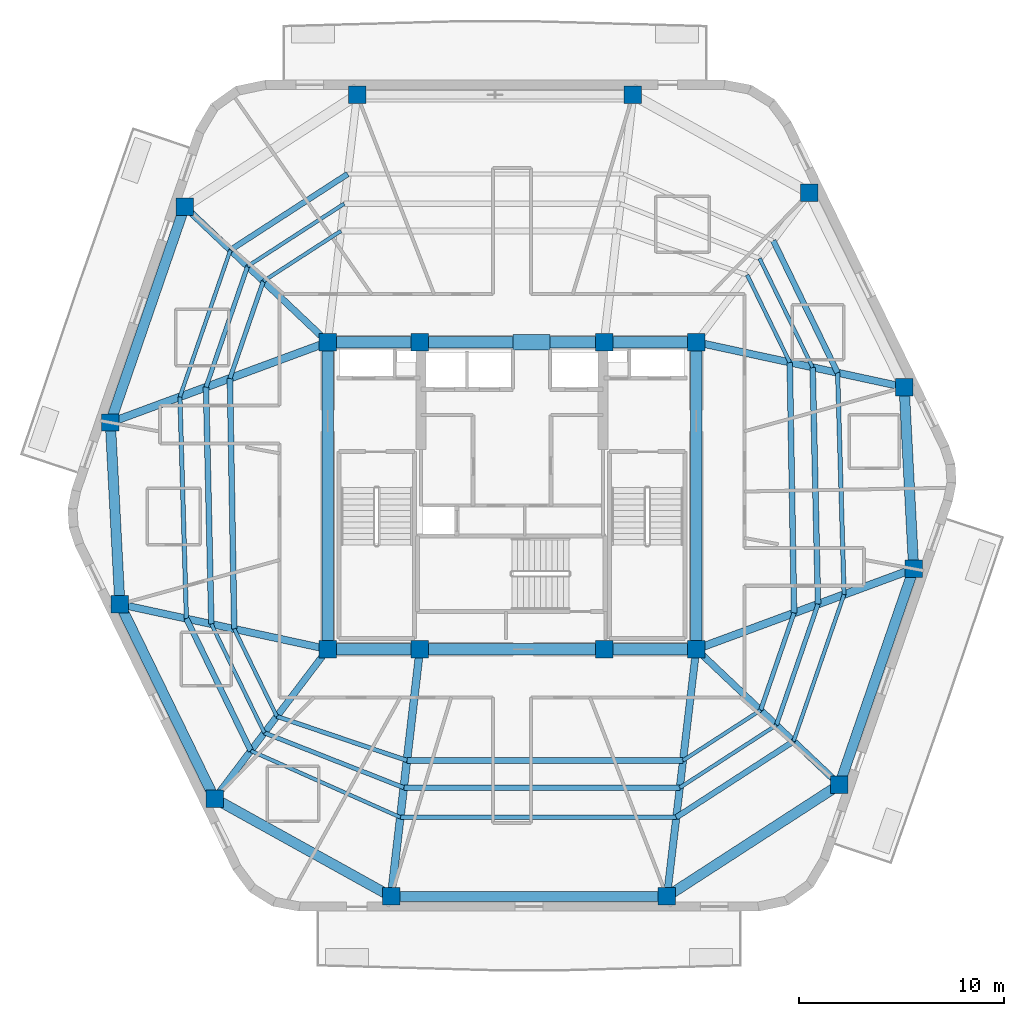
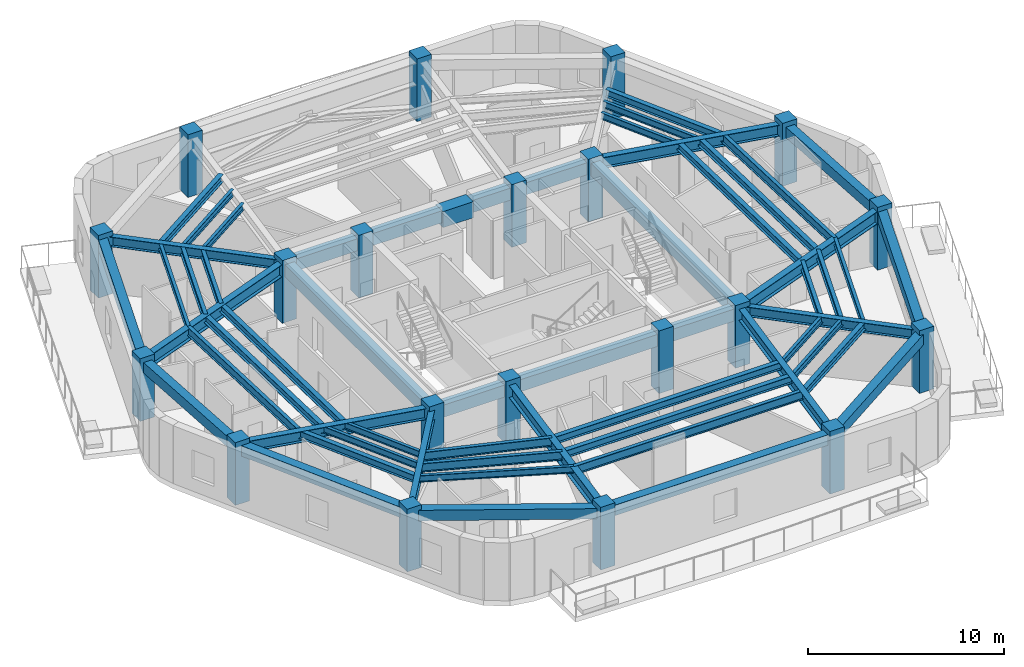
# One storey, part 1 of 9: 56 beams, 20 columns.
"""IFC4 building model written with IfcOpenShell, lengths in metres."""

from ifc_helpers import new_model, si_unit, direction, frame, origin, origin_2d, place, context, subcontext, project, spatial, rectangle, i_section, extrude, material, material_profile, profile_set, type_object, element, save


model = new_model("IFC4")

# Units and contexts
model_context = context("Model", 3, precision=1e-05, world=origin(), true_north=direction((0.0, 1.0)))
body_context = subcontext(model_context, "Body", "Model", "MODEL_VIEW")
ifc_project = project(units=[si_unit("LENGTHUNIT", "METRE"), si_unit("AREAUNIT", "SQUARE_METRE"), si_unit("VOLUMEUNIT", "CUBIC_METRE"), si_unit("PLANEANGLEUNIT", "RADIAN"), si_unit("MASSUNIT", "GRAM", prefix="KILO")], contexts=[model_context])

# Site, building, storey
site_placement = place(None, origin())
site = spatial("IfcSite", under=ifc_project, at=site_placement, CompositionType="ELEMENT")
building_placement = place(site_placement, origin())
building = spatial("IfcBuilding", under=site, at=building_placement, Name="Kilnhurst Terrace Hotel", CompositionType="ELEMENT")
storey_placement = place(building_placement, frame((0.0, 0.0, 297.60009765625)))
storey = spatial("IfcBuildingStorey", under=building, at=storey_placement, Name="L74", CompositionType="ELEMENT", Elevation=297.60009765625)

# Columns
ifc_material_1 = material(Name="Concrete C60/75", Category="concrete")
ifc_material_profile_1 = material_profile(ifc_material_1, rectangle(XDim=0.85009765625, YDim=0.85009765625, at=origin_2d()), Name="RC850X850")
ifc_profile_set_1 = profile_set([ifc_material_profile_1], Name="Concrete C60/75")
column_type = type_object("IfcColumnType", Name="COL-RC-850", PredefinedType="COLUMN", material=ifc_profile_set_1)
for number, where, z_axis, x_axis, name in (
    (1, (-9.0, -7.5, 0.0), (0.0, 0.0, 1.0), (1.0, 0.0, 0.0), "L74 Structural Column CC-SW"),
    (2, (-4.5, -7.5, 0.0), (0.0, 0.0, 1.0), (1.0, 0.0, 0.0), "L74 Structural Column CC-SC1"),
    (3, (4.5, -7.5, 0.0), (0.0, 0.0, 1.0), (1.0, 0.0, 0.0), "L74 Structural Column CC-SC2"),
    (4, (9.0, -7.5, 0.0), (0.0, 0.0, 1.0), (1.0, 0.0, 0.0), "L74 Structural Column CC-SE"),
    (5, (9.0, 7.5, 0.0), (0.0, 0.0, 1.0), (1.0, 0.0, 0.0), "L74 Structural Column CC-NE"),
    (6, (4.5, 7.5, 0.0), (0.0, 0.0, 1.0), (1.0, 0.0, 0.0), "L74 Structural Column CC-NC2"),
    (7, (-4.5, 7.5, 0.0), (0.0, 0.0, 1.0), (1.0, 0.0, 0.0), "L74 Structural Column CC-NC1"),
    (8, (-9.0, 7.5, 0.0), (0.0, 0.0, 1.0), (1.0, 0.0, 0.0), "L74 Structural Column CC-NW"),
    (9, (-5.907958984375, -19.580078125, 0.0), (0.0, 0.0, 1.0), (1.0, 0.0, 0.0), "L74 Structural Column PC-F11"),
    (10, (7.569091796875, -19.580078125, 0.0), (0.0, 0.0, 1.0), (1.0, 0.0, 0.0), "L74 Structural Column PC-F12"),
    (11, (15.9951171875, -14.12109375, 0.0), (0.0, 0.0, 1.0), (1.0, 0.0, 0.0), "L74 Structural Column PC-F21"),
    (12, (19.6240234375, -3.573974609375, 0.0), (0.0, 0.0, 1.0), (1.0, 0.0, 0.0), "L74 Structural Column PC-F22"),
    (13, (19.157958984375, 5.304931640625, 0.0), (0.0, 0.0, 1.0), (1.0, 0.0, 0.0), "L74 Structural Column PC-F31"),
    (14, (14.531005859375, 14.798095703125, 0.0), (0.0, 0.0, 1.0), (1.0, 0.0, 0.0), "L74 Structural Column PC-F32"),
    (15, (5.907958984375, 19.580078125, 0.0), (0.0, 0.0, 1.0), (1.0, 0.0, 0.0), "L74 Structural Column PC-F41"),
    (16, (-7.569091796875, 19.580078125, 0.0), (0.0, 0.0, 1.0), (1.0, 0.0, 0.0), "L74 Structural Column PC-F42"),
    (17, (-15.9951171875, 14.12109375, 0.0), (0.0, 0.0, 1.0), (1.0, 0.0, 0.0), "L74 Structural Column PC-F51"),
    (18, (-19.6240234375, 3.573974609375, 0.0), (0.0, 0.0, 1.0), (1.0, 0.0, 0.0), "L74 Structural Column PC-F52"),
    (19, (-19.157958984375, -5.304931640625, 0.0), (0.0, 0.0, 1.0), (1.0, 0.0, 0.0), "L74 Structural Column PC-F61"),
    (20, (-14.531005859375, -14.798095703125, 0.0), (0.0, 0.0, 1.0), (1.0, 0.0, 0.0), "L74 Structural Column PC-F62"),
):
    element("IfcColumn", number, at=place(storey_placement, frame(where, z_axis=z_axis, x_axis=x_axis)), inside=storey, type_object=column_type, Name=name, PredefinedType="COLUMN", context=body_context, shape_type="SweptSolid", body=[
        extrude(rectangle(XDim=0.85009765625, YDim=0.85009765625, at=origin_2d()), origin(), (0.0, 0.0, 1.0), 3.89990234375),
    ])

# Beams
ifc_material_2 = material(Name="Concrete C50/60", Category="concrete")
ifc_material_profile_2 = material_profile(ifc_material_2, rectangle(XDim=0.5, YDim=0.64990234375, at=origin_2d()), Name="RC500X650")
ifc_profile_set_2 = profile_set([ifc_material_profile_2], Name="Concrete C50/60")
beam_type_1 = type_object("IfcBeamType", Name="BM-SPN-500X650", PredefinedType="SPANDREL", material=ifc_profile_set_2)
beam_1_placement = place(storey_placement, frame((-5.907958984375, -19.580078125, 3.27490234375), z_axis=(1.0, 0.0, 0.0), x_axis=(0.0, 1.0, 0.0)))
element("IfcBeam", 21, at=beam_1_placement, inside=storey, type_object=beam_type_1, Name="L74 Perimeter Spandrel Beam 1", PredefinedType="SPANDREL", context=body_context, shape_type="SweptSolid", body=[
    extrude(rectangle(XDim=0.5, YDim=0.64990234375, at=origin_2d()), origin(), (0.0, 0.0, 1.0), 13.47705078125),
])
beam_2_placement = place(storey_placement, frame((7.569091796875, -19.580078125, 3.27490234375), z_axis=(0.839258818809, 0.543732135386, 0.0), x_axis=(-0.543732135386, 0.839258818809, 0.0)))
element("IfcBeam", 22, at=beam_2_placement, inside=storey, type_object=beam_type_1, Name="L74 Perimeter Spandrel Beam 2", PredefinedType="SPANDREL", context=body_context, shape_type="SweptSolid", body=[
    extrude(rectangle(XDim=0.5, YDim=0.64990234375, at=origin_2d()), origin(), (0.0, 0.0, 1.0), 10.039794921875),
])
beam_3_placement = place(storey_placement, frame((15.9951171875, -14.12109375, 3.27490234375), z_axis=(0.325347079026, 0.945594669068, 0.0), x_axis=(-0.945594669068, 0.325347079026, 0.0)))
element("IfcBeam", 23, at=beam_3_placement, inside=storey, type_object=beam_type_1, Name="L74 Perimeter Spandrel Beam 3", PredefinedType="SPANDREL", context=body_context, shape_type="SweptSolid", body=[
    extrude(rectangle(XDim=0.5, YDim=0.64990234375, at=origin_2d()), origin(), (0.0, 0.0, 1.0), 11.154052734375),
])
beam_4_placement = place(storey_placement, frame((19.6240234375, -3.573974609375, 3.27490234375), z_axis=(-0.052419034962, 0.998625177318, 0.0), x_axis=(-0.998625177318, -0.052419034962, 0.0)))
element("IfcBeam", 24, at=beam_4_placement, inside=storey, type_object=beam_type_1, Name="L74 Perimeter Spandrel Beam 4", PredefinedType="SPANDREL", context=body_context, shape_type="SweptSolid", body=[
    extrude(rectangle(XDim=0.5, YDim=0.64990234375, at=origin_2d()), origin(), (0.0, 0.0, 1.0), 8.89111328125),
])
beam_5_placement = place(storey_placement, frame((-15.9951171875, 14.12109375, 3.27490234375), z_axis=(-0.325347079026, -0.945594669068, 0.0), x_axis=(0.945594669068, -0.325347079026, 0.0)))
element("IfcBeam", 25, at=beam_5_placement, inside=storey, type_object=beam_type_1, Name="L74 Perimeter Spandrel Beam 9", PredefinedType="SPANDREL", context=body_context, shape_type="SweptSolid", body=[
    extrude(rectangle(XDim=0.5, YDim=0.64990234375, at=origin_2d()), origin(), (0.0, 0.0, 1.0), 11.154052734375),
])
beam_6_placement = place(storey_placement, frame((-19.6240234375, 3.573974609375, 3.27490234375), z_axis=(0.052419034962, -0.998625177318, 0.0), x_axis=(0.998625177318, 0.052419034962, 0.0)))
element("IfcBeam", 26, at=beam_6_placement, inside=storey, type_object=beam_type_1, Name="L74 Perimeter Spandrel Beam 10", PredefinedType="SPANDREL", context=body_context, shape_type="SweptSolid", body=[
    extrude(rectangle(XDim=0.5, YDim=0.64990234375, at=origin_2d()), origin(), (0.0, 0.0, 1.0), 8.89111328125),
])
beam_7_placement = place(storey_placement, frame((-19.157958984375, -5.304931640625, 3.27490234375), z_axis=(0.438128464895, -0.898912369616, 0.0), x_axis=(0.898912369616, 0.438128464895, 0.0)))
element("IfcBeam", 27, at=beam_7_placement, inside=storey, type_object=beam_type_1, Name="L74 Perimeter Spandrel Beam 11", PredefinedType="SPANDREL", context=body_context, shape_type="SweptSolid", body=[
    extrude(rectangle(XDim=0.5, YDim=0.64990234375, at=origin_2d()), origin(), (0.0, 0.0, 1.0), 10.560791015625),
])
beam_8_placement = place(storey_placement, frame((-14.531005859375, -14.798095703125, 3.27490234375), z_axis=(0.874527255888, -0.484976369227, 0.0), x_axis=(0.484976369227, 0.874527255888, 0.0)))
element("IfcBeam", 28, at=beam_8_placement, inside=storey, type_object=beam_type_1, Name="L74 Perimeter Spandrel Beam 12", PredefinedType="SPANDREL", context=body_context, shape_type="SweptSolid", body=[
    extrude(rectangle(XDim=0.5, YDim=0.64990234375, at=origin_2d()), origin(), (0.0, 0.0, 1.0), 9.8603515625),
])
ifc_material_profile_3 = material_profile(ifc_material_2, rectangle(XDim=0.550048828125, YDim=0.75, at=origin_2d()), Name="RC550X750")
ifc_profile_set_3 = profile_set([ifc_material_profile_3], Name="Concrete C50/60")
beam_type_2 = type_object("IfcBeamType", Name="BM-SPN-550X750", PredefinedType="SPANDREL", material=ifc_profile_set_3)
beam_9_placement = place(storey_placement, frame((-9.0, 7.5, 3.224853515625), z_axis=(1.0, 0.0, 0.0), x_axis=(0.0, 1.0, 0.0)))
element("IfcBeam", 29, at=beam_9_placement, inside=storey, type_object=beam_type_2, Name="L74 Core Tie Beam CC-NW to CC-NC1", PredefinedType="SPANDREL", context=body_context, shape_type="SweptSolid", body=[
    extrude(rectangle(XDim=0.550048828125, YDim=0.75, at=origin_2d()), origin(), (0.0, 0.0, 1.0), 4.5),
])
beam_10_placement = place(storey_placement, frame((-4.5, 7.5, 3.224853515625), z_axis=(1.0, 0.0, 0.0), x_axis=(0.0, 1.0, 0.0)))
element("IfcBeam", 30, at=beam_10_placement, inside=storey, type_object=beam_type_2, Name="L74 Core Tie Beam CC-NC1 to CC-NC2", PredefinedType="SPANDREL", context=body_context, shape_type="SweptSolid", body=[
    extrude(rectangle(XDim=0.550048828125, YDim=0.75, at=origin_2d()), origin(), (0.0, 0.0, 1.0), 9.0),
])
for number, where, z_axis, x_axis, name in (
    (31, (4.5, 7.5, 3.224853515625), (1.0, 0.0, 0.0), (0.0, 1.0, 0.0), "L74 Core Tie Beam CC-NC2 to CC-NE"),
    (32, (-9.0, -7.5, 3.224853515625), (1.0, 0.0, 0.0), (0.0, 1.0, 0.0), "L74 Core Tie Beam CC-SW to CC-SC1"),
):
    element("IfcBeam", number, at=place(storey_placement, frame(where, z_axis=z_axis, x_axis=x_axis)), inside=storey, type_object=beam_type_2, Name=name, PredefinedType="SPANDREL", context=body_context, shape_type="SweptSolid", body=[
        extrude(rectangle(XDim=0.550048828125, YDim=0.75, at=origin_2d()), origin(), (0.0, 0.0, 1.0), 4.5),
    ])
beam_11_placement = place(storey_placement, frame((-4.5, -7.5, 3.224853515625), z_axis=(1.0, 0.0, 0.0), x_axis=(0.0, 1.0, 0.0)))
element("IfcBeam", 33, at=beam_11_placement, inside=storey, type_object=beam_type_2, Name="L74 Core Tie Beam CC-SC1 to CC-SC2", PredefinedType="SPANDREL", context=body_context, shape_type="SweptSolid", body=[
    extrude(rectangle(XDim=0.550048828125, YDim=0.75, at=origin_2d()), origin(), (0.0, 0.0, 1.0), 9.0),
])
beam_12_placement = place(storey_placement, frame((4.5, -7.5, 3.224853515625), z_axis=(1.0, 0.0, 0.0), x_axis=(0.0, 1.0, 0.0)))
element("IfcBeam", 34, at=beam_12_placement, inside=storey, type_object=beam_type_2, Name="L74 Core Tie Beam CC-SC2 to CC-SE", PredefinedType="SPANDREL", context=body_context, shape_type="SweptSolid", body=[
    extrude(rectangle(XDim=0.550048828125, YDim=0.75, at=origin_2d()), origin(), (0.0, 0.0, 1.0), 4.5),
])
for number, where, z_axis, x_axis, name in (
    (35, (-9.0, -7.5, 3.224853515625), (0.0, 1.0, 0.0), (-1.0, 0.0, 0.0), "L74 Core Tie Beam CC-SW to CC-NW"),
    (36, (9.0, -7.5, 3.224853515625), (0.0, 1.0, 0.0), (-1.0, 0.0, 0.0), "L74 Core Tie Beam CC-SE to CC-NE"),
):
    element("IfcBeam", number, at=place(storey_placement, frame(where, z_axis=z_axis, x_axis=x_axis)), inside=storey, type_object=beam_type_2, Name=name, PredefinedType="SPANDREL", context=body_context, shape_type="SweptSolid", body=[
        extrude(rectangle(XDim=0.550048828125, YDim=0.75, at=origin_2d()), origin(), (0.0, 0.0, 1.0), 15.0),
    ])
ifc_material_3 = material(Name="Steel ASTM A992 Grade 50", Category="steel")
ifc_material_profile_4 = material_profile(ifc_material_3, i_section(OverallWidth=0.3251953125, OverallDepth=0.6162109375, WebThickness=0.013916015625, FlangeThickness=0.021484375, at=origin_2d()), Name="W24X117")
ifc_profile_set_4 = profile_set([ifc_material_profile_4], Name="Steel ASTM A992 Grade 50")
beam_type_3 = type_object("IfcBeamType", Name="BM-STL-W24X117", PredefinedType="BEAM", material=ifc_profile_set_4)
for number, where, z_axis, x_axis, name in (
    (37, (9.0, -7.5, 3.2919921875), (0.726256338973, -0.687423981326, 0.0), (0.687423981326, 0.726256338973, 0.0), "L74 Radial Floor Beam 3"),
    (38, (-9.0, 7.5, 3.2919921875), (-0.726256338973, 0.687423981326, 0.0), (-0.687423981326, -0.726256338973, 0.0), "L74 Radial Floor Beam 9"),
):
    element("IfcBeam", number, at=place(storey_placement, frame(where, z_axis=z_axis, x_axis=x_axis)), inside=storey, type_object=beam_type_3, Name=name, PredefinedType="BEAM", context=body_context, shape_type="SweptSolid", body=[
        extrude(i_section(OverallWidth=0.3251953125, OverallDepth=0.6162109375, WebThickness=0.013916015625, FlangeThickness=0.021484375, at=origin_2d()), origin(), (0.0, 0.0, 1.0), 9.6318359375),
    ])
beam_13_placement = place(storey_placement, frame((-9.0, -7.5, 3.2919921875), z_axis=(-0.604006537698, -0.79697936135, 0.0), x_axis=(0.79697936135, -0.604006537698, 0.0)))
element("IfcBeam", 39, at=beam_13_placement, inside=storey, type_object=beam_type_3, Name="L74 Radial Floor Beam 12", PredefinedType="BEAM", context=body_context, shape_type="SweptSolid", body=[
    extrude(i_section(OverallWidth=0.3251953125, OverallDepth=0.6162109375, WebThickness=0.013916015625, FlangeThickness=0.021484375, at=origin_2d()), origin(), (0.0, 0.0, 1.0), 9.1572265625),
])
ifc_material_profile_5 = material_profile(ifc_material_3, i_section(OverallWidth=0.354736328125, OverallDepth=0.695556640625, WebThickness=0.015380859375, FlangeThickness=0.025146484375, at=origin_2d()), Name="W27X146")
ifc_profile_set_5 = profile_set([ifc_material_profile_5], Name="Steel ASTM A992 Grade 50")
beam_type_4 = type_object("IfcBeamType", Name="BM-STL-W27X146", PredefinedType="BEAM", material=ifc_profile_set_5)
beam_14_placement = place(storey_placement, frame((9.0, -7.5, 3.251953125), z_axis=(-0.117629552811, -0.993057545314, 0.0), x_axis=(0.993057545314, -0.117629552811, 0.0)))
element("IfcBeam", 40, at=beam_14_placement, inside=storey, type_object=beam_type_4, Name="L74 Radial Floor Beam 2", PredefinedType="BEAM", context=body_context, shape_type="SweptSolid", body=[
    extrude(i_section(OverallWidth=0.354736328125, OverallDepth=0.695556640625, WebThickness=0.015380859375, FlangeThickness=0.025146484375, at=origin_2d()), origin(), (0.0, 0.0, 1.0), 12.16455078125),
])
for number, where, z_axis, x_axis, name in (
    (41, (9.0, 7.5, 3.251953125), (0.977438945995, -0.211218149913, 0.0), (0.211218149913, 0.977438945995, 0.0), "L74 Radial Floor Beam 5"),
    (42, (-9.0, -7.5, 3.251953125), (-0.977438945995, 0.211218149913, 0.0), (-0.211218149913, -0.977438945995, 0.0), "L74 Radial Floor Beam 11"),
):
    element("IfcBeam", number, at=place(storey_placement, frame(where, z_axis=z_axis, x_axis=x_axis)), inside=storey, type_object=beam_type_4, Name=name, PredefinedType="BEAM", context=body_context, shape_type="SweptSolid", body=[
        extrude(i_section(OverallWidth=0.354736328125, OverallDepth=0.695556640625, WebThickness=0.015380859375, FlangeThickness=0.025146484375, at=origin_2d()), origin(), (0.0, 0.0, 1.0), 10.392333984375),
    ])
ifc_material_profile_6 = material_profile(ifc_material_3, i_section(OverallWidth=0.380615234375, OverallDepth=0.773193359375, WebThickness=0.0166015625, FlangeThickness=0.027099609375, at=origin_2d()), Name="W30X173")
ifc_profile_set_6 = profile_set([ifc_material_profile_6], Name="Steel ASTM A992 Grade 50")
beam_type_5 = type_object("IfcBeamType", Name="BM-STL-W30X173", PredefinedType="BEAM", material=ifc_profile_set_6)
beam_15_placement = place(storey_placement, frame((-4.5, -7.5, 3.212890625), z_axis=(-0.115768472001, -0.993276225876, 0.0), x_axis=(0.993276225876, -0.115768472001, 0.0)))
element("IfcBeam", 43, at=beam_15_placement, inside=storey, type_object=beam_type_5, Name="L74 Radial Floor Beam 1", PredefinedType="BEAM", context=body_context, shape_type="SweptSolid", body=[
    extrude(i_section(OverallWidth=0.380615234375, OverallDepth=0.773193359375, WebThickness=0.0166015625, FlangeThickness=0.027099609375, at=origin_2d()), origin(), (0.0, 0.0, 1.0), 12.161865234375),
])
for number, where, z_axis, x_axis, name in (
    (44, (9.0, -7.5, 3.212890625), (0.938001507479, 0.3466311757, 0.0), (-0.3466311757, 0.938001507479, 0.0), "L74 Radial Floor Beam 4"),
    (45, (-9.0, 7.5, 3.212890625), (-0.938001507479, -0.3466311757, 0.0), (0.3466311757, -0.938001507479, 0.0), "L74 Radial Floor Beam 10"),
):
    element("IfcBeam", number, at=place(storey_placement, frame(where, z_axis=z_axis, x_axis=x_axis)), inside=storey, type_object=beam_type_5, Name=name, PredefinedType="BEAM", context=body_context, shape_type="SweptSolid", body=[
        extrude(i_section(OverallWidth=0.380615234375, OverallDepth=0.773193359375, WebThickness=0.0166015625, FlangeThickness=0.027099609375, at=origin_2d()), origin(), (0.0, 0.0, 1.0), 11.326171875),
    ])
ifc_material_profile_7 = material_profile(ifc_material_3, i_section(OverallWidth=0.180908203125, OverallDepth=0.417236328125, WebThickness=0.010986328125, FlangeThickness=0.018310546875, at=origin_2d()), Name="W16X57")
ifc_profile_set_7 = profile_set([ifc_material_profile_7], Name="Steel ASTM A992 Grade 50")
beam_type_6 = type_object("IfcBeamType", Name="JST-STL-W16X57", PredefinedType="JOIST", material=ifc_profile_set_7)
for number, where, z_axis, x_axis, name in (
    (46, (13.756591796875, -12.002197265625, 3.390869140625), (0.325367628202, 0.945587598543, 0.0), (-0.945587598543, 0.325367628202, 0.0), "L74 Secondary Floor Steel Joist OUT.3"),
    (47, (-13.756591796875, 12.002197265625, 3.390869140625), (-0.325367628202, -0.945587598543, 0.0), (0.945587598543, -0.325367628202, 0.0), "L74 Secondary Floor Steel Joist OUT.9"),
):
    element("IfcBeam", number, at=place(storey_placement, frame(where, z_axis=z_axis, x_axis=x_axis)), inside=storey, type_object=beam_type_6, Name=name, PredefinedType="JOIST", context=body_context, shape_type="SweptSolid", body=[
        extrude(i_section(OverallWidth=0.180908203125, OverallDepth=0.417236328125, WebThickness=0.010986328125, FlangeThickness=0.018310546875, at=origin_2d()), origin(), (0.0, 0.0, 1.0), 7.58447265625),
    ])
beam_16_placement = place(storey_placement, frame((-12.760986328125, -12.462646484375, 3.390869140625), z_axis=(0.913545640569, -0.406736232216, 0.0), x_axis=(0.406736232216, 0.913545640569, 0.0)))
element("IfcBeam", 48, at=beam_16_placement, inside=storey, type_object=beam_type_6, Name="L74 Secondary Floor Steel Joist OUT.12", PredefinedType="JOIST", context=body_context, shape_type="SweptSolid", body=[
    extrude(i_section(OverallWidth=0.180908203125, OverallDepth=0.417236328125, WebThickness=0.010986328125, FlangeThickness=0.018310546875, at=origin_2d()), origin(), (0.0, 0.0, 1.0), 7.99462890625),
])
beam_17_placement = place(storey_placement, frame((8.35595703125, -12.93603515625, 3.390869140625), z_axis=(0.839261215199, 0.543728436503, 0.0), x_axis=(-0.543728436503, 0.839261215199, 0.0)))
element("IfcBeam", 49, at=beam_17_placement, inside=storey, type_object=beam_type_6, Name="L74 Secondary Floor Steel Joist IN.2", PredefinedType="JOIST", context=body_context, shape_type="SweptSolid", body=[
    extrude(i_section(OverallWidth=0.180908203125, OverallDepth=0.417236328125, WebThickness=0.010986328125, FlangeThickness=0.018310546875, at=origin_2d()), origin(), (0.0, 0.0, 1.0), 4.51806640625),
])
beam_18_placement = place(storey_placement, frame((13.571044921875, 6.51220703125, 3.390869140625), z_axis=(-0.438107813647, 0.898922434708, 0.0), x_axis=(-0.898922434708, -0.438107813647, 0.0)))
element("IfcBeam", 50, at=beam_18_placement, inside=storey, type_object=beam_type_6, Name="L74 Secondary Floor Steel Joist IN.5", PredefinedType="JOIST", context=body_context, shape_type="SweptSolid", body=[
    extrude(i_section(OverallWidth=0.180908203125, OverallDepth=0.417236328125, WebThickness=0.010986328125, FlangeThickness=0.018310546875, at=origin_2d()), origin(), (0.0, 0.0, 1.0), 4.75244140625),
])
beam_19_placement = place(storey_placement, frame((-8.35595703125, 12.93603515625, 3.390869140625), z_axis=(-0.839261215199, -0.543728436503, 0.0), x_axis=(0.543728436503, -0.839261215199, 0.0)))
element("IfcBeam", 51, at=beam_19_placement, inside=storey, type_object=beam_type_6, Name="L74 Secondary Floor Steel Joist IN.8", PredefinedType="JOIST", context=body_context, shape_type="SweptSolid", body=[
    extrude(i_section(OverallWidth=0.180908203125, OverallDepth=0.417236328125, WebThickness=0.010986328125, FlangeThickness=0.018310546875, at=origin_2d()), origin(), (0.0, 0.0, 1.0), 4.51806640625),
])
beam_20_placement = place(storey_placement, frame((-13.571044921875, -6.51220703125, 3.390869140625), z_axis=(0.438107813647, -0.898922434708, 0.0), x_axis=(0.898922434708, 0.438107813647, 0.0)))
element("IfcBeam", 52, at=beam_20_placement, inside=storey, type_object=beam_type_6, Name="L74 Secondary Floor Steel Joist IN.11", PredefinedType="JOIST", context=body_context, shape_type="SweptSolid", body=[
    extrude(i_section(OverallWidth=0.180908203125, OverallDepth=0.417236328125, WebThickness=0.010986328125, FlangeThickness=0.018310546875, at=origin_2d()), origin(), (0.0, 0.0, 1.0), 4.75244140625),
])
beam_21_placement = place(storey_placement, frame((8.198486328125, -14.264892578125, 3.390869140625), z_axis=(0.839260135854, 0.543730102502, 0.0), x_axis=(-0.543730102502, 0.839260135854, 0.0)))
element("IfcBeam", 53, at=beam_21_placement, inside=storey, type_object=beam_type_6, Name="L74 Secondary Floor Steel Joist MID.2", PredefinedType="JOIST", context=body_context, shape_type="SweptSolid", body=[
    extrude(i_section(OverallWidth=0.180908203125, OverallDepth=0.417236328125, WebThickness=0.010986328125, FlangeThickness=0.018310546875, at=origin_2d()), origin(), (0.0, 0.0, 1.0), 5.62255859375),
])
beam_22_placement = place(storey_placement, frame((14.6884765625, 6.270751953125, 3.390869140625), z_axis=(-0.438125112318, 0.898914003649, 0.0), x_axis=(-0.898914003649, -0.438125112318, 0.0)))
element("IfcBeam", 54, at=beam_22_placement, inside=storey, type_object=beam_type_6, Name="L74 Secondary Floor Steel Joist MID.5", PredefinedType="JOIST", context=body_context, shape_type="SweptSolid", body=[
    extrude(i_section(OverallWidth=0.180908203125, OverallDepth=0.417236328125, WebThickness=0.010986328125, FlangeThickness=0.018310546875, at=origin_2d()), origin(), (0.0, 0.0, 1.0), 5.9140625),
])
beam_23_placement = place(storey_placement, frame((-8.198486328125, 14.264892578125, 3.390869140625), z_axis=(-0.839260135854, -0.543730102502, 0.0), x_axis=(0.543730102502, -0.839260135854, 0.0)))
element("IfcBeam", 55, at=beam_23_placement, inside=storey, type_object=beam_type_6, Name="L74 Secondary Floor Steel Joist MID.8", PredefinedType="JOIST", context=body_context, shape_type="SweptSolid", body=[
    extrude(i_section(OverallWidth=0.180908203125, OverallDepth=0.417236328125, WebThickness=0.010986328125, FlangeThickness=0.018310546875, at=origin_2d()), origin(), (0.0, 0.0, 1.0), 5.62255859375),
])
beam_24_placement = place(storey_placement, frame((-14.6884765625, -6.270751953125, 3.390869140625), z_axis=(0.438125112318, -0.898914003649, 0.0), x_axis=(0.898914003649, 0.438125112318, 0.0)))
element("IfcBeam", 56, at=beam_24_placement, inside=storey, type_object=beam_type_6, Name="L74 Secondary Floor Steel Joist MID.11", PredefinedType="JOIST", context=body_context, shape_type="SweptSolid", body=[
    extrude(i_section(OverallWidth=0.180908203125, OverallDepth=0.417236328125, WebThickness=0.010986328125, FlangeThickness=0.018310546875, at=origin_2d()), origin(), (0.0, 0.0, 1.0), 5.9140625),
])
ifc_material_profile_8 = material_profile(ifc_material_3, i_section(OverallWidth=0.279296875, OverallDepth=0.462890625, WebThickness=0.0107421875, FlangeThickness=0.017333984375, at=origin_2d()), Name="W18X76")
ifc_profile_set_8 = profile_set([ifc_material_profile_8], Name="Steel ASTM A992 Grade 50")
beam_type_7 = type_object("IfcBeamType", Name="JST-STL-W18X76", PredefinedType="JOIST", material=ifc_profile_set_8)
beam_25_placement = place(storey_placement, frame((8.02685546875, -15.71435546875, 3.367919921875), z_axis=(0.839257246669, 0.543734562001, 0.0), x_axis=(-0.543734562001, 0.839257246669, 0.0)))
element("IfcBeam", 57, at=beam_25_placement, inside=storey, type_object=beam_type_7, Name="L74 Secondary Floor Steel Joist OUT.2", PredefinedType="JOIST", context=body_context, shape_type="SweptSolid", body=[
    extrude(i_section(OverallWidth=0.279296875, OverallDepth=0.462890625, WebThickness=0.0107421875, FlangeThickness=0.017333984375, at=origin_2d()), origin(), (0.0, 0.0, 1.0), 6.8271484375),
])
beam_26_placement = place(storey_placement, frame((15.907470703125, 6.00732421875, 3.367919921875), z_axis=(-0.438147652742, 0.898903017237, 0.0), x_axis=(-0.898903017237, -0.438147652742, 0.0)))
element("IfcBeam", 58, at=beam_26_placement, inside=storey, type_object=beam_type_7, Name="L74 Secondary Floor Steel Joist OUT.5", PredefinedType="JOIST", context=body_context, shape_type="SweptSolid", body=[
    extrude(i_section(OverallWidth=0.279296875, OverallDepth=0.462890625, WebThickness=0.0107421875, FlangeThickness=0.017333984375, at=origin_2d()), origin(), (0.0, 0.0, 1.0), 7.181396484375),
])
beam_27_placement = place(storey_placement, frame((-8.02685546875, 15.71435546875, 3.367919921875), z_axis=(-0.839257246669, -0.543734562001, 0.0), x_axis=(0.543734562001, -0.839257246669, 0.0)))
element("IfcBeam", 59, at=beam_27_placement, inside=storey, type_object=beam_type_7, Name="L74 Secondary Floor Steel Joist OUT.8", PredefinedType="JOIST", context=body_context, shape_type="SweptSolid", body=[
    extrude(i_section(OverallWidth=0.279296875, OverallDepth=0.462890625, WebThickness=0.0107421875, FlangeThickness=0.017333984375, at=origin_2d()), origin(), (0.0, 0.0, 1.0), 6.8271484375),
])
beam_28_placement = place(storey_placement, frame((-15.907470703125, -6.00732421875, 3.367919921875), z_axis=(0.438147652742, -0.898903017237, 0.0), x_axis=(0.898903017237, 0.438147652742, 0.0)))
element("IfcBeam", 60, at=beam_28_placement, inside=storey, type_object=beam_type_7, Name="L74 Secondary Floor Steel Joist OUT.11", PredefinedType="JOIST", context=body_context, shape_type="SweptSolid", body=[
    extrude(i_section(OverallWidth=0.279296875, OverallDepth=0.462890625, WebThickness=0.0107421875, FlangeThickness=0.017333984375, at=origin_2d()), origin(), (0.0, 0.0, 1.0), 7.181396484375),
])
beam_29_placement = place(storey_placement, frame((-5.133544921875, -12.93603515625, 3.367919921875), z_axis=(1.0, 0.0, 0.0), x_axis=(0.0, 1.0, 0.0)))
element("IfcBeam", 61, at=beam_29_placement, inside=storey, type_object=beam_type_7, Name="L74 Secondary Floor Steel Joist IN.1", PredefinedType="JOIST", context=body_context, shape_type="SweptSolid", body=[
    extrude(i_section(OverallWidth=0.279296875, OverallDepth=0.462890625, WebThickness=0.0107421875, FlangeThickness=0.017333984375, at=origin_2d()), origin(), (0.0, 0.0, 1.0), 13.489501953125),
])
for number, where, z_axis, x_axis, name in (
    (62, (13.78076171875, -5.7333984375, 3.367919921875), (-0.01712337129, 0.99985338433, 0.0), (-0.99985338433, -0.01712337129, 0.0), "L74 Secondary Floor Steel Joist IN.4"),
    (63, (-13.78076171875, 5.7333984375, 3.367919921875), (0.01712337129, -0.99985338433, 0.0), (0.99985338433, 0.01712337129, 0.0), "L74 Secondary Floor Steel Joist IN.10"),
):
    element("IfcBeam", number, at=place(storey_placement, frame(where, z_axis=z_axis, x_axis=x_axis)), inside=storey, type_object=beam_type_7, Name=name, PredefinedType="JOIST", context=body_context, shape_type="SweptSolid", body=[
        extrude(i_section(OverallWidth=0.279296875, OverallDepth=0.462890625, WebThickness=0.0107421875, FlangeThickness=0.017333984375, at=origin_2d()), origin(), (0.0, 0.0, 1.0), 12.247314453125),
    ])
beam_30_placement = place(storey_placement, frame((-5.28857421875, -14.264892578125, 3.367919921875), z_axis=(1.0, 0.0, 0.0), x_axis=(0.0, 1.0, 0.0)))
element("IfcBeam", 64, at=beam_30_placement, inside=storey, type_object=beam_type_7, Name="L74 Secondary Floor Steel Joist MID.1", PredefinedType="JOIST", context=body_context, shape_type="SweptSolid", body=[
    extrude(i_section(OverallWidth=0.279296875, OverallDepth=0.462890625, WebThickness=0.0107421875, FlangeThickness=0.017333984375, at=origin_2d()), origin(), (0.0, 0.0, 1.0), 13.487060546875),
])
for number, where, z_axis, x_axis, name in (
    (65, (14.949462890625, -5.301513671875, 3.367919921875), (-0.022547009345, 0.999745783872, 0.0), (-0.999745783872, -0.022547009345, 0.0), "L74 Secondary Floor Steel Joist MID.4"),
    (66, (-14.949462890625, 5.301513671875, 3.367919921875), (0.022547009345, -0.999745783872, 0.0), (0.999745783872, 0.022547009345, 0.0), "L74 Secondary Floor Steel Joist MID.10"),
):
    element("IfcBeam", number, at=place(storey_placement, frame(where, z_axis=z_axis, x_axis=x_axis)), inside=storey, type_object=beam_type_7, Name=name, PredefinedType="JOIST", context=body_context, shape_type="SweptSolid", body=[
        extrude(i_section(OverallWidth=0.279296875, OverallDepth=0.462890625, WebThickness=0.0107421875, FlangeThickness=0.017333984375, at=origin_2d()), origin(), (0.0, 0.0, 1.0), 11.5751953125),
    ])
ifc_material_profile_9 = material_profile(ifc_material_3, i_section(OverallWidth=0.2138671875, OverallDepth=0.549072265625, WebThickness=0.0146484375, FlangeThickness=0.023681640625, at=origin_2d()), Name="W21X93")
ifc_profile_set_9 = profile_set([ifc_material_profile_9], Name="Steel ASTM A992 Grade 50")
beam_type_8 = type_object("IfcBeamType", Name="JST-STL-W21X93", PredefinedType="JOIST", material=ifc_profile_set_9)
beam_31_placement = place(storey_placement, frame((-5.45751953125, -15.71435546875, 3.324951171875), z_axis=(1.0, 0.0, 0.0), x_axis=(0.0, 1.0, 0.0)))
element("IfcBeam", 67, at=beam_31_placement, inside=storey, type_object=beam_type_8, Name="L74 Secondary Floor Steel Joist OUT.1", PredefinedType="JOIST", context=body_context, shape_type="SweptSolid", body=[
    extrude(i_section(OverallWidth=0.2138671875, OverallDepth=0.549072265625, WebThickness=0.0146484375, FlangeThickness=0.023681640625, at=origin_2d()), origin(), (0.0, 0.0, 1.0), 13.484375),
])
for number, where, z_axis, x_axis, name in (
    (68, (16.224365234375, -4.830322265625, 3.324951171875), (-0.029227669324, 0.999572780415, 0.0), (-0.999572780415, -0.029227669324, 0.0), "L74 Secondary Floor Steel Joist OUT.4"),
    (69, (-16.224365234375, 4.830322265625, 3.324951171875), (0.029227669324, -0.999572780415, 0.0), (0.999572780415, 0.029227669324, 0.0), "L74 Secondary Floor Steel Joist OUT.10"),
):
    element("IfcBeam", number, at=place(storey_placement, frame(where, z_axis=z_axis, x_axis=x_axis)), inside=storey, type_object=beam_type_8, Name=name, PredefinedType="JOIST", context=body_context, shape_type="SweptSolid", body=[
        extrude(i_section(OverallWidth=0.2138671875, OverallDepth=0.549072265625, WebThickness=0.0146484375, FlangeThickness=0.023681640625, at=origin_2d()), origin(), (0.0, 0.0, 1.0), 10.84228515625),
    ])
for number, where, z_axis, x_axis, name in (
    (70, (12.147705078125, -10.4794921875, 3.324951171875), (0.325362511486, 0.94558935914, 0.0), (-0.94558935914, 0.325362511486, 0.0), "L74 Secondary Floor Steel Joist IN.3"),
    (71, (-12.147705078125, 10.4794921875, 3.324951171875), (-0.325362511486, -0.94558935914, 0.0), (0.94558935914, -0.325362511486, 0.0), "L74 Secondary Floor Steel Joist IN.9"),
):
    element("IfcBeam", number, at=place(storey_placement, frame(where, z_axis=z_axis, x_axis=x_axis)), inside=storey, type_object=beam_type_8, Name=name, PredefinedType="JOIST", context=body_context, shape_type="SweptSolid", body=[
        extrude(i_section(OverallWidth=0.2138671875, OverallDepth=0.549072265625, WebThickness=0.0146484375, FlangeThickness=0.023681640625, at=origin_2d()), origin(), (0.0, 0.0, 1.0), 5.019287109375),
    ])
beam_32_placement = place(storey_placement, frame((-11.489013671875, -10.7841796875, 3.324951171875), z_axis=(0.947180946302, -0.320699633555, 0.0), x_axis=(0.320699633555, 0.947180946302, 0.0)))
element("IfcBeam", 72, at=beam_32_placement, inside=storey, type_object=beam_type_8, Name="L74 Secondary Floor Steel Joist IN.12", PredefinedType="JOIST", context=body_context, shape_type="SweptSolid", body=[
    extrude(i_section(OverallWidth=0.2138671875, OverallDepth=0.549072265625, WebThickness=0.0146484375, FlangeThickness=0.023681640625, at=origin_2d()), origin(), (0.0, 0.0, 1.0), 6.7099609375),
])
for number, where, z_axis, x_axis, name in (
    (73, (12.917236328125, -11.207763671875, 3.324951171875), (0.325359404894, 0.945590428064, 0.0), (-0.945590428064, 0.325359404894, 0.0), "L74 Secondary Floor Steel Joist MID.3"),
    (74, (-12.917236328125, 11.207763671875, 3.324951171875), (-0.325359404894, -0.945590428064, 0.0), (0.945590428064, -0.325359404894, 0.0), "L74 Secondary Floor Steel Joist MID.9"),
):
    element("IfcBeam", number, at=place(storey_placement, frame(where, z_axis=z_axis, x_axis=x_axis)), inside=storey, type_object=beam_type_8, Name=name, PredefinedType="JOIST", context=body_context, shape_type="SweptSolid", body=[
        extrude(i_section(OverallWidth=0.2138671875, OverallDepth=0.549072265625, WebThickness=0.0146484375, FlangeThickness=0.023681640625, at=origin_2d()), origin(), (0.0, 0.0, 1.0), 6.24609375),
    ])
beam_33_placement = place(storey_placement, frame((-12.097412109375, -11.5869140625, 3.324951171875), z_axis=(0.930608251849, -0.366016777745, 0.0), x_axis=(0.366016777745, 0.930608251849, 0.0)))
element("IfcBeam", 75, at=beam_33_placement, inside=storey, type_object=beam_type_8, Name="L74 Secondary Floor Steel Joist MID.12", PredefinedType="JOIST", context=body_context, shape_type="SweptSolid", body=[
    extrude(i_section(OverallWidth=0.2138671875, OverallDepth=0.549072265625, WebThickness=0.0146484375, FlangeThickness=0.023681640625, at=origin_2d()), origin(), (0.0, 0.0, 1.0), 7.316650390625),
])
ifc_material_profile_10 = material_profile(ifc_material_1, rectangle(XDim=0.75, YDim=1.0, at=origin_2d()), Name="RC750X1000")
ifc_profile_set_10 = profile_set([ifc_material_profile_10], Name="Concrete C60/75")
beam_type_9 = type_object("IfcBeamType", Name="LNT-CB-750X1000", PredefinedType="LINTEL", material=ifc_profile_set_10)
beam_34_placement = place(storey_placement, frame((0.050048828125, 7.5, 3.099853515625), z_axis=(1.0, 0.0, 0.0), x_axis=(0.0, 1.0, 0.0)))
element("IfcBeam", 76, at=beam_34_placement, inside=storey, type_object=beam_type_9, Name="L74 North Core Coupling Link Beam", PredefinedType="LINTEL", context=body_context, shape_type="SweptSolid", body=[
    extrude(rectangle(XDim=0.75, YDim=1.0, at=origin_2d()), origin(), (0.0, 0.0, 1.0), 1.800048828125),
])

save(model, "model.ifc")
